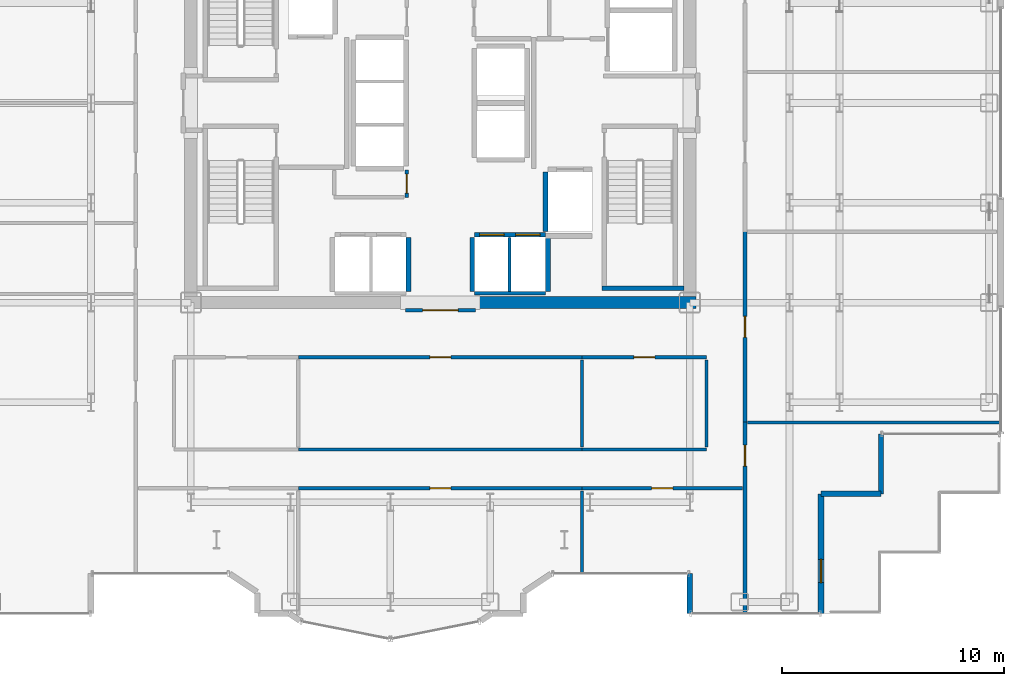
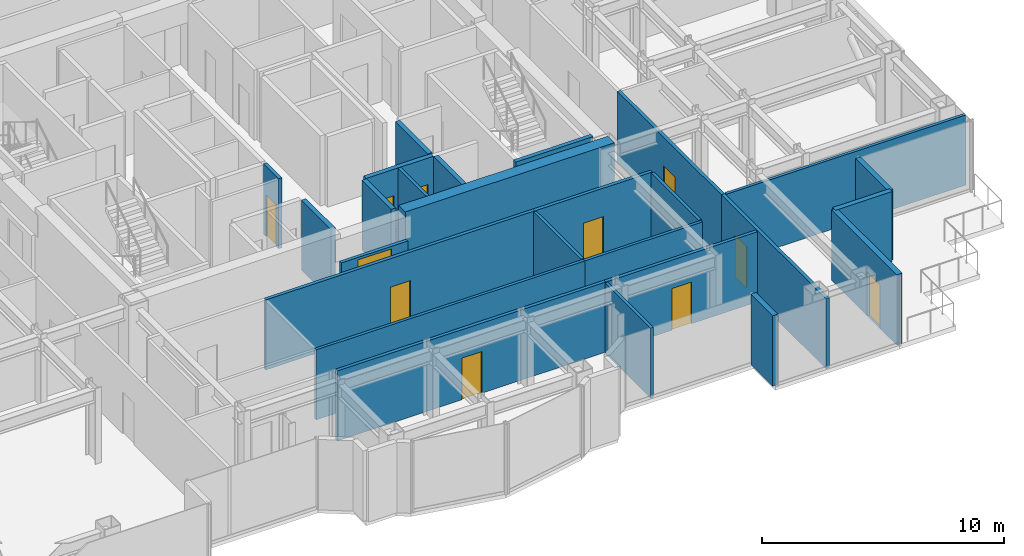
# One storey, part 22 of 27: 27 walls, 11 doors, 11 openings.
"""IFC4 building model written with IfcOpenShell, lengths in metres."""

from ifc_helpers import new_model, si_unit, direction, frame, frame_2d, origin, place, context, subcontext, project, spatial, rectangle, extrude, source, transform, mapped, material, layer, layer_set, type_object, element, fill, save


model = new_model("IFC4")

# Units and contexts
model_context = context("Model", 3, precision=1e-05, world=origin(), true_north=direction((0.0, 1.0)))
body_context = subcontext(model_context, "Body", "Model", "MODEL_VIEW")
ifc_project = project(units=[si_unit("LENGTHUNIT", "METRE"), si_unit("AREAUNIT", "SQUARE_METRE"), si_unit("VOLUMEUNIT", "CUBIC_METRE"), si_unit("PLANEANGLEUNIT", "RADIAN"), si_unit("MASSUNIT", "GRAM", prefix="KILO")], contexts=[model_context])

# Site, building, storey
site_placement = place(None, origin())
site = spatial("IfcSite", under=ifc_project, at=site_placement, CompositionType="ELEMENT")
building_placement = place(site_placement, origin())
building = spatial("IfcBuilding", under=site, at=building_placement, Name="Nefas-Gora Pilgrimage Tower", CompositionType="ELEMENT")
storey_placement = place(building_placement, frame((0.0, 0.0, 183.0)))
storey = spatial("IfcBuildingStorey", under=building, at=storey_placement, Name="L45", CompositionType="ELEMENT", Elevation=183.0)

# Walls
ifc_material_1 = material(Name="Concrete C60/75", Category="concrete")
ifc_layer_1 = layer(ifc_material_1, 0.550048828125)
ifc_layer_set_1 = layer_set([ifc_layer_1], Name="Concrete C60/75")
wall_type_1 = type_object("IfcWallType", Name="SW-CORE-550", PredefinedType="SHEAR", material=ifc_layer_set_1)
shared_shape_1 = source(origin(), body_context, "Body", "SweptSolid", [
    extrude(rectangle(XDim=9.974853515625, YDim=0.550048828125, at=frame_2d((4.9873046875, 0.0))), origin(), (0.0, 0.0, 1.0), 3.800048828125),
])
wall_1_placement = place(storey_placement, frame((1.550048828125, -9.0, 0.0), z_axis=(0.0, 0.0, 1.0), x_axis=(1.0, 0.0, 0.0)))
element("IfcWall", 1, at=wall_1_placement, inside=storey, type_object=wall_type_1, Name="L45 Core Shear Wall S-East", PredefinedType="SHEAR", context=body_context, shape_type="MappedRepresentation", body=[
    mapped(shared_shape_1, transform((0.0, 0.0, 0.0), x_axis=(1.0, 0.0, 0.0), y_axis=(0.0, 1.0, 0.0), z_axis=(0.0, 0.0, 1.0), scale=1.0)),
])
ifc_material_2 = material(Name="Precast concrete C40/50", Category="concrete")
ifc_layer_2 = layer(ifc_material_2, 0.260009765625)
ifc_layer_set_2 = layer_set([ifc_layer_2], Name="Precast concrete C40/50")
wall_type_2 = type_object("IfcWallType", Name="EW-PORTAL-260", PredefinedType="SOLIDWALL", material=ifc_layer_set_2)
shared_shape_2 = source(origin(), body_context, "Body", "SweptSolid", [
    extrude(rectangle(XDim=1.800048828125, YDim=0.260009765625, at=frame_2d((0.89990234375, 0.0))), origin(), (0.0, 0.0, 1.0), 3.550048828125),
])
wall_2_placement = place(storey_placement, frame((11.25, -21.219970703125, 0.0), z_axis=(0.0, 0.0, 1.0), x_axis=(0.0, -1.0, 0.0)))
element("IfcWall", 2, at=wall_2_placement, inside=storey, type_object=wall_type_2, Name="L45 Lobe Shoulder Precast Spandrel Pier 5", PredefinedType="SOLIDWALL", context=body_context, shape_type="MappedRepresentation", body=[
    mapped(shared_shape_2, transform((0.0, 0.0, 0.0), x_axis=(1.0, 0.0, 0.0), y_axis=(0.0, 1.0, 0.0), z_axis=(0.0, 0.0, 1.0), scale=1.0)),
])

# Wall, opening, door
shared_shape_3 = source(origin(), body_context, "Body", "SweptSolid", [
    extrude(rectangle(XDim=5.39990234375, YDim=0.260009765625, at=frame_2d((2.699951171875, 0.0))), origin(), (0.0, 0.0, 1.0), 3.550048828125),
])
wall_3_placement = place(storey_placement, frame((17.169921875, -23.02001953125, 0.0), z_axis=(0.0, 0.0, 1.0), x_axis=(0.0, 1.0, 0.0)))
wall_3 = element("IfcWall", 3, at=wall_3_placement, inside=storey, type_object=wall_type_2, Name="L45 Insulated Terrace Portal Wall 6", PredefinedType="SOLIDWALL", context=body_context, shape_type="MappedRepresentation", body=[
    mapped(shared_shape_3, transform((0.0, 0.0, 0.0), x_axis=(1.0, 0.0, 0.0), y_axis=(0.0, 1.0, 0.0), z_axis=(0.0, 0.0, 1.0), scale=1.0)),
])
opening_1_placement = place(wall_3_placement, frame((1.39697265625, 0.0, 0.0)))
opening_1 = element("IfcOpeningElement", 4, at=opening_1_placement, cuts=wall_3, Name="Opening ED-T1", PredefinedType="OPENING", context=body_context, shape_type="SweptSolid", body=[
    extrude(rectangle(XDim=1.050048828125, YDim=2.199951171875, at=frame_2d((0.52490234375, 1.10009765625))), frame((0.0, 0.139892578125, 0.0), z_axis=(0.0, -1.0, 0.0), x_axis=(1.0, 0.0, 0.0)), (0.0, 0.0, 1.0), 0.280029296875),
])
ifc_material_3 = material(Name="Thermally broken glazed aluminium terrace door", Category="aluminium")
door_type_1 = type_object("IfcDoorType", Name="DR-EXT-TER-1050", OperationType="NOTDEFINED", PredefinedType="DOOR", material=ifc_material_3)
shared_shape_4 = source(origin(), body_context, "Body", "SweptSolid", [
    extrude(rectangle(XDim=1.050048828125, YDim=2.199951171875, at=frame_2d((0.52490234375, 1.10009765625))), frame((0.0, 0.02490234375, 0.0), z_axis=(0.0, -1.0, 0.0), x_axis=(1.0, 0.0, 0.0)), (0.0, 0.0, 1.0), 0.050048828125),
])
door_1_placement = place(opening_1_placement, origin())
door_1 = element("IfcDoor", 5, at=door_1_placement, inside=storey, type_object=door_type_1, Name="L45 Exterior Door (L45 Outdoor Terrace TER-SP-SE)", OperationType="SINGLE_SWING_LEFT", OverallHeight=2.199951171875, OverallWidth=1.050048828125, PredefinedType="DOOR", context=body_context, shape_type="MappedRepresentation", body=[
    mapped(shared_shape_4, transform((0.0, 0.0, 0.0), x_axis=(1.0, 0.0, 0.0), y_axis=(0.0, 1.0, 0.0), z_axis=(0.0, 0.0, 1.0), scale=1.0)),
])
fill(opening_1, door_1)

# Walls
ifc_material_4 = material(Name="Precast concrete C45/55", Category="concrete")
ifc_layer_3 = layer(ifc_material_4, 0.239990234375)
ifc_layer_set_3 = layer_set([ifc_layer_3], Name="Precast concrete C45/55")
wall_type_3 = type_object("IfcWallType", Name="EW-SERR-240", PredefinedType="SHEAR", material=ifc_layer_set_3)
shared_shape_5 = source(origin(), body_context, "Body", "SweptSolid", [
    extrude(rectangle(XDim=2.7001953125, YDim=0.239990234375, at=frame_2d((1.35009765625, 0.0))), origin(), (0.0, 0.0, 1.0), 3.550048828125),
])
for number, where, z_axis, x_axis, name in (
    (6, (17.169921875, -17.6201171875, 0.0), (0.0, 0.0, 1.0), (1.0, 0.0, 0.0), "L45 Serrated Corner Shear Pier Wall 7"),
    (7, (19.8701171875, -17.6201171875, 0.0), (0.0, 0.0, 1.0), (0.0, 1.0, 0.0), "L45 Serrated Corner Shear Pier Wall 8"),
):
    element("IfcWall", number, at=place(storey_placement, frame(where, z_axis=z_axis, x_axis=x_axis)), inside=storey, type_object=wall_type_3, Name=name, PredefinedType="SHEAR", context=body_context, shape_type="MappedRepresentation", body=[
        mapped(shared_shape_5, transform((0.0, 0.0, 0.0), x_axis=(1.0, 0.0, 0.0), y_axis=(0.0, 1.0, 0.0), z_axis=(0.0, 0.0, 1.0), scale=1.0)),
    ])
ifc_material_5 = material(Name="Concrete C45/55", Category="concrete")
ifc_layer_4 = layer(ifc_material_5, 0.199951171875)
ifc_layer_set_4 = layer_set([ifc_layer_4], Name="Concrete C45/55")
wall_type_4 = type_object("IfcWallType", Name="IW-STAIR-200", PredefinedType="SOLIDWALL", material=ifc_layer_set_4)
shared_shape_6 = source(origin(), body_context, "Body", "SweptSolid", [
    extrude(rectangle(XDim=3.679931640625, YDim=0.199951171875, at=frame_2d((1.83984375, 0.0))), origin(), (0.0, 0.0, 1.0), 3.800048828125),
])
wall_4_placement = place(storey_placement, frame((7.300048828125, -8.35009765625, 0.0), z_axis=(0.0, 0.0, 1.0), x_axis=(1.0, 0.0, 0.0)))
element("IfcWall", 8, at=wall_4_placement, inside=storey, type_object=wall_type_4, Name="L45 Stairwell Shear Wall ST-02-far", PredefinedType="SOLIDWALL", context=body_context, shape_type="MappedRepresentation", body=[
    mapped(shared_shape_6, transform((0.0, 0.0, 0.0), x_axis=(1.0, 0.0, 0.0), y_axis=(0.0, 1.0, 0.0), z_axis=(0.0, 0.0, 1.0), scale=1.0)),
])
ifc_material_6 = material(Name="Concrete C40/50", Category="concrete")
ifc_layer_5 = layer(ifc_material_6, 0.219970703125)
ifc_layer_set_5 = layer_set([ifc_layer_5], Name="Concrete C40/50")
wall_type_5 = type_object("IfcWallType", Name="IW-SHAFT-220", PredefinedType="SOLIDWALL", material=ifc_layer_set_5)
shared_shape_7 = source(origin(), body_context, "Body", "SweptSolid", [
    extrude(rectangle(XDim=2.679931640625, YDim=0.219970703125, at=frame_2d((1.33984375, 0.0))), origin(), (0.0, 0.0, 1.0), 3.534912109375),
])
wall_5_placement = place(storey_placement, frame((4.739990234375, -3.110107421875, 0.0), z_axis=(0.0, 0.0, 1.0), x_axis=(0.0, -1.0, 0.0)))
element("IfcWall", 9, at=wall_5_placement, inside=storey, type_object=wall_type_5, Name="L45 Hoistway Wall FFL-02-W", PredefinedType="SOLIDWALL", context=body_context, shape_type="MappedRepresentation", body=[
    mapped(shared_shape_7, transform((0.0, 0.0, 0.0), x_axis=(1.0, 0.0, 0.0), y_axis=(0.0, 1.0, 0.0), z_axis=(0.0, 0.0, 1.0), scale=1.0)),
])

# Wall, openings, doors
shared_shape_8 = source(origin(), body_context, "Body", "SweptSolid", [
    extrude(rectangle(XDim=3.199951171875, YDim=0.219970703125, at=frame_2d((1.60009765625, 0.0))), origin(), (0.0, 0.0, 1.0), 3.534912109375),
])
wall_6_placement = place(storey_placement, frame((4.75, -5.93994140625, 0.0), z_axis=(0.0, 0.0, 1.0), x_axis=(-1.0, 0.0, 0.0)))
wall_6 = element("IfcWall", 10, at=wall_6_placement, inside=storey, type_object=wall_type_5, Name="L45 Hoistway Wall PL2-E-N", PredefinedType="SOLIDWALL", context=body_context, shape_type="MappedRepresentation", body=[
    mapped(shared_shape_8, transform((0.0, 0.0, 0.0), x_axis=(1.0, 0.0, 0.0), y_axis=(0.0, 1.0, 0.0), z_axis=(0.0, 0.0, 1.0), scale=1.0)),
])
opening_2_placement = place(wall_6_placement, frame((1.875, 0.0, 0.0)))
opening_2 = element("IfcOpeningElement", 11, at=opening_2_placement, cuts=wall_6, Name="Opening LD-01", PredefinedType="OPENING", context=body_context, shape_type="SweptSolid", body=[
    extrude(rectangle(XDim=1.10009765625, YDim=2.199951171875, at=frame_2d((0.550048828125, 1.10009765625))), frame((0.0, 0.119873046875, 0.0), z_axis=(0.0, -1.0, 0.0), x_axis=(1.0, 0.0, 0.0)), (0.0, 0.0, 1.0), 0.239990234375),
])
opening_3_placement = place(wall_6_placement, frame((0.25, 0.0, 0.0)))
opening_3 = element("IfcOpeningElement", 12, at=opening_3_placement, cuts=wall_6, Name="Opening LD-01", PredefinedType="OPENING", context=body_context, shape_type="SweptSolid", body=[
    extrude(rectangle(XDim=1.10009765625, YDim=2.199951171875, at=frame_2d((0.550048828125, 1.10009765625))), frame((0.0, 0.119873046875, 0.0), z_axis=(0.0, -1.0, 0.0), x_axis=(1.0, 0.0, 0.0)), (0.0, 0.0, 1.0), 0.239990234375),
])
ifc_material_7 = material(Name="Brushed stainless sliding lift landing door")
door_type_2 = type_object("IfcDoorType", Name="DR-LIFT-PASS-1100", OperationType="DOUBLE_DOOR_SLIDING", PredefinedType="DOOR", material=ifc_material_7)
shared_shape_9 = source(origin(), body_context, "Body", "SweptSolid", [
    extrude(rectangle(XDim=1.10009765625, YDim=2.199951171875, at=frame_2d((0.550048828125, 1.10009765625))), frame((0.0, 0.02490234375, 0.0), z_axis=(0.0, -1.0, 0.0), x_axis=(1.0, 0.0, 0.0)), (0.0, 0.0, 1.0), 0.050048828125),
])
door_2_placement = place(opening_2_placement, origin())
door_2 = element("IfcDoor", 13, at=door_2_placement, inside=storey, type_object=door_type_2, Name="L45 Sliding Lift Landing Door PL2-03", OperationType="DOUBLE_DOOR_SLIDING", OverallHeight=2.199951171875, OverallWidth=1.10009765625, PredefinedType="DOOR", context=body_context, shape_type="MappedRepresentation", body=[
    mapped(shared_shape_9, transform((0.0, 0.0, 0.0), x_axis=(1.0, 0.0, 0.0), y_axis=(0.0, 1.0, 0.0), z_axis=(0.0, 0.0, 1.0), scale=1.0)),
])
fill(opening_2, door_2)
door_3_placement = place(opening_3_placement, origin())
door_3 = element("IfcDoor", 14, at=door_3_placement, inside=storey, type_object=door_type_2, Name="L45 Sliding Lift Landing Door PL2-04", OperationType="DOUBLE_DOOR_SLIDING", OverallHeight=2.199951171875, OverallWidth=1.10009765625, PredefinedType="DOOR", context=body_context, shape_type="MappedRepresentation", body=[
    mapped(shared_shape_9, transform((0.0, 0.0, 0.0), x_axis=(1.0, 0.0, 0.0), y_axis=(0.0, 1.0, 0.0), z_axis=(0.0, 0.0, 1.0), scale=1.0)),
])
fill(opening_3, door_3)

# Walls
ifc_material_8 = material(Name="Gypsum acoustic stud partition")
ifc_layer_6 = layer(ifc_material_8, 0.159912109375)
ifc_layer_set_6 = layer_set([ifc_layer_6], Name="Gypsum acoustic stud partition")
wall_type_6 = type_object("IfcWallType", Name="IW-CORR-160", PredefinedType="PARTITIONING", material=ifc_layer_set_6)
shared_shape_10 = source(origin(), body_context, "Body", "SweptSolid", [
    extrude(rectangle(XDim=3.199951171875, YDim=0.159912109375, at=frame_2d((1.60009765625, 0.0))), origin(), (0.0, 0.0, 1.0), 2.425048828125),
])
wall_7_placement = place(storey_placement, frame((1.550048828125, -8.580078125, 0.0), z_axis=(0.0, 0.0, 1.0), x_axis=(1.0, 0.0, 0.0)))
element("IfcWall", 15, at=wall_7_placement, inside=storey, type_object=wall_type_6, Name="L45 Hoistway Wall PL2-E-S", PredefinedType="PARTITIONING", context=body_context, shape_type="MappedRepresentation", body=[
    mapped(shared_shape_10, transform((0.0, 0.0, 0.0), x_axis=(1.0, 0.0, 0.0), y_axis=(0.0, 1.0, 0.0), z_axis=(0.0, 0.0, 1.0), scale=1.0)),
])
shared_shape_11 = source(origin(), body_context, "Body", "SweptSolid", [
    extrude(rectangle(XDim=2.429931640625, YDim=0.219970703125, at=frame_2d((1.21484375, 0.0))), origin(), (0.0, 0.0, 1.0), 3.534912109375),
])
for number, where, z_axis, x_axis, name in (
    (16, (-1.43994140625, -8.489990234375, 0.0), (0.0, 0.0, 1.0), (0.0, 1.0, 0.0), "L45 Hoistway Wall PL2-W-E"),
    (17, (1.43994140625, -6.06005859375, 0.0), (0.0, 0.0, 1.0), (0.0, -1.0, 0.0), "L45 Hoistway Wall PL2-E-W"),
    (18, (4.860107421875, -8.489990234375, 0.0), (0.0, 0.0, 1.0), (0.0, 1.0, 0.0), "L45 Hoistway Wall PL2-E-E"),
):
    element("IfcWall", number, at=place(storey_placement, frame(where, z_axis=z_axis, x_axis=x_axis)), inside=storey, type_object=wall_type_5, Name=name, PredefinedType="SOLIDWALL", context=body_context, shape_type="MappedRepresentation", body=[
        mapped(shared_shape_11, transform((0.0, 0.0, 0.0), x_axis=(1.0, 0.0, 0.0), y_axis=(0.0, 1.0, 0.0), z_axis=(0.0, 0.0, 1.0), scale=1.0)),
    ])
ifc_material_9 = material(Name="Gypsum twin-stud partition")
ifc_layer_7 = layer(ifc_material_9, 0.139892578125)
ifc_layer_set_7 = layer_set([ifc_layer_7], Name="Gypsum twin-stud partition")
wall_type_7 = type_object("IfcWallType", Name="IW-UNIT-140", PredefinedType="PARTITIONING", material=ifc_layer_set_7)
shared_shape_12 = source(origin(), body_context, "Body", "SweptSolid", [
    extrude(rectangle(XDim=2.429931640625, YDim=0.139892578125, at=frame_2d((1.21484375, 0.0))), origin(), (0.0, 0.0, 1.0), 3.534912109375),
])
wall_8_placement = place(storey_placement, frame((3.125, -8.489990234375, 0.0), z_axis=(0.0, 0.0, 1.0), x_axis=(0.0, 1.0, 0.0)))
element("IfcWall", 19, at=wall_8_placement, inside=storey, type_object=wall_type_7, Name="L45 Hoistway Wall PL2-E-DIV", PredefinedType="PARTITIONING", context=body_context, shape_type="MappedRepresentation", body=[
    mapped(shared_shape_12, transform((0.0, 0.0, 0.0), x_axis=(1.0, 0.0, 0.0), y_axis=(0.0, 1.0, 0.0), z_axis=(0.0, 0.0, 1.0), scale=1.0)),
])

# Wall, opening, door
shared_shape_13 = source(origin(), body_context, "Body", "SweptSolid", [
    extrude(rectangle(XDim=1.25, YDim=0.159912109375, at=frame_2d((0.625, 0.0))), origin(), (0.0, 0.0, 1.0), 3.534912109375),
])
wall_9_placement = place(storey_placement, frame((-1.52001953125, -4.260009765625, 0.0), z_axis=(0.0, 0.0, 1.0), x_axis=(0.0, 1.0, 0.0)))
wall_9 = element("IfcWall", 20, at=wall_9_placement, inside=storey, type_object=wall_type_6, Name="L45 Guest Self-Service Laundry Room Wall 26", PredefinedType="PARTITIONING", context=body_context, shape_type="MappedRepresentation", body=[
    mapped(shared_shape_13, transform((0.0, 0.0, 0.0), x_axis=(1.0, 0.0, 0.0), y_axis=(0.0, 1.0, 0.0), z_axis=(0.0, 0.0, 1.0), scale=1.0)),
])
opening_4_placement = place(wall_9_placement, frame((0.199951171875, 0.0, 0.0)))
opening_4 = element("IfcOpeningElement", 21, at=opening_4_placement, cuts=wall_9, Name="Opening ID-BT1", PredefinedType="OPENING", context=body_context, shape_type="SweptSolid", body=[
    extrude(rectangle(XDim=0.85009765625, YDim=2.10009765625, at=frame_2d((0.425048828125, 1.050048828125))), frame((0.0, 0.08984375, 0.0), z_axis=(0.0, -1.0, 0.0), x_axis=(1.0, 0.0, 0.0)), (0.0, 0.0, 1.0), 0.179931640625),
])
ifc_material_10 = material(Name="Moisture-resistant fire-rated timber door", Category="wood")
door_type_3 = type_object("IfcDoorType", Name="DR-INT-BATH-850", OperationType="NOTDEFINED", PredefinedType="DOOR", material=ifc_material_10)
shared_shape_14 = source(origin(), body_context, "Body", "SweptSolid", [
    extrude(rectangle(XDim=0.85009765625, YDim=2.10009765625, at=frame_2d((0.425048828125, 1.050048828125))), frame((0.0, 0.02490234375, 0.0), z_axis=(0.0, -1.0, 0.0), x_axis=(1.0, 0.0, 0.0)), (0.0, 0.0, 1.0), 0.050048828125),
])
door_4_placement = place(opening_4_placement, origin())
door_4 = element("IfcDoor", 22, at=door_4_placement, inside=storey, type_object=door_type_3, Name="L45 Guest Self-Service Laundry Room Door 11", OperationType="SINGLE_SWING_RIGHT", OverallHeight=2.10009765625, OverallWidth=0.85009765625, PredefinedType="DOOR", context=body_context, shape_type="MappedRepresentation", body=[
    mapped(shared_shape_14, transform((0.0, 0.0, 0.0), x_axis=(1.0, 0.0, 0.0), y_axis=(0.0, 1.0, 0.0), z_axis=(0.0, 0.0, 1.0), scale=1.0)),
])
fill(opening_4, door_4)

shared_shape_15 = source(origin(), body_context, "Body", "SweptSolid", [
    extrude(rectangle(XDim=7.22509765625, YDim=0.159912109375, at=frame_2d((3.612548828125, 0.0))), origin(), (0.0, 0.0, 1.0), 3.534912109375),
])
wall_10_placement = place(storey_placement, frame((6.39501953125, -17.3701171875, 0.0), z_axis=(0.0, 0.0, 1.0), x_axis=(1.0, 0.0, 0.0)))
wall_10 = element("IfcWall", 23, at=wall_10_placement, inside=storey, type_object=wall_type_6, Name="L45 Pilgrim Contemplative Lounge Partition Wall 79", PredefinedType="PARTITIONING", context=body_context, shape_type="MappedRepresentation", body=[
    mapped(shared_shape_15, transform((0.0, 0.0, 0.0), x_axis=(1.0, 0.0, 0.0), y_axis=(0.0, 1.0, 0.0), z_axis=(0.0, 0.0, 1.0), scale=1.0)),
])
opening_5_placement = place(wall_10_placement, frame((3.137451171875, 0.0, 0.0)))
opening_5 = element("IfcOpeningElement", 24, at=opening_5_placement, cuts=wall_10, Name="Opening ID-GR1", PredefinedType="OPENING", context=body_context, shape_type="SweptSolid", body=[
    extrude(rectangle(XDim=0.949951171875, YDim=2.10009765625, at=frame_2d((0.47509765625, 1.050048828125))), frame((0.0, 0.08984375, 0.0), z_axis=(0.0, -1.0, 0.0), x_axis=(1.0, 0.0, 0.0)), (0.0, 0.0, 1.0), 0.179931640625),
])
ifc_material_11 = material(Name="Solid core oak fire-rated guest entrance door")
door_type_4 = type_object("IfcDoorType", Name="DR-INT-GUEST-950", OperationType="NOTDEFINED", PredefinedType="DOOR", material=ifc_material_11)
shared_shape_16 = source(origin(), body_context, "Body", "SweptSolid", [
    extrude(rectangle(XDim=0.949951171875, YDim=2.10009765625, at=frame_2d((0.47509765625, 1.050048828125))), frame((0.0, 0.02490234375, 0.0), z_axis=(0.0, -1.0, 0.0), x_axis=(1.0, 0.0, 0.0)), (0.0, 0.0, 1.0), 0.050048828125),
])
door_5_placement = place(opening_5_placement, origin())
door_5 = element("IfcDoor", 25, at=door_5_placement, inside=storey, type_object=door_type_4, Name="L45 Pilgrim Contemplative Lounge Door 35", OperationType="SINGLE_SWING_RIGHT", OverallHeight=2.10009765625, OverallWidth=0.949951171875, PredefinedType="DOOR", context=body_context, shape_type="MappedRepresentation", body=[
    mapped(shared_shape_16, transform((0.0, 0.0, 0.0), x_axis=(1.0, 0.0, 0.0), y_axis=(0.0, 1.0, 0.0), z_axis=(0.0, 0.0, 1.0), scale=1.0)),
])
fill(opening_5, door_5)

shared_shape_17 = source(origin(), body_context, "Body", "SweptSolid", [
    extrude(rectangle(XDim=3.16015625, YDim=0.159912109375, at=frame_2d((1.580078125, 0.0))), origin(), (0.0, 0.0, 1.0), 2.425048828125),
])
wall_11_placement = place(storey_placement, frame((-1.580078125, -9.35009765625, 0.0), z_axis=(0.0, 0.0, 1.0), x_axis=(1.0, 0.0, 0.0)))
wall_11 = element("IfcWall", 26, at=wall_11_placement, inside=storey, type_object=wall_type_6, Name="L45 Central Lift Lobby South Portal Wall 16", PredefinedType="PARTITIONING", context=body_context, shape_type="MappedRepresentation", body=[
    mapped(shared_shape_17, transform((0.0, 0.0, 0.0), x_axis=(1.0, 0.0, 0.0), y_axis=(0.0, 1.0, 0.0), z_axis=(0.0, 0.0, 1.0), scale=1.0)),
])
opening_6_placement = place(wall_11_placement, frame((0.780029296875, 0.0, 0.0)))
opening_6 = element("IfcOpeningElement", 27, at=opening_6_placement, cuts=wall_11, Name="Opening ID-HL1", PredefinedType="OPENING", context=body_context, shape_type="SweptSolid", body=[
    extrude(rectangle(XDim=1.60009765625, YDim=2.300048828125, at=frame_2d((0.800048828125, 1.14990234375))), frame((0.0, 0.08984375, 0.0), z_axis=(0.0, -1.0, 0.0), x_axis=(1.0, 0.0, 0.0)), (0.0, 0.0, 1.0), 0.179931640625),
])
ifc_material_12 = material(Name="Double acoustic timber assembly hall door", Category="wood")
door_type_5 = type_object("IfcDoorType", Name="DR-INT-HALL-1600", OperationType="DOUBLE_DOOR_SINGLE_SWING", PredefinedType="DOOR", material=ifc_material_12)
shared_shape_18 = source(origin(), body_context, "Body", "SweptSolid", [
    extrude(rectangle(XDim=1.60009765625, YDim=2.300048828125, at=frame_2d((0.800048828125, 1.14990234375))), frame((0.0, 0.02490234375, 0.0), z_axis=(0.0, -1.0, 0.0), x_axis=(1.0, 0.0, 0.0)), (0.0, 0.0, 1.0), 0.050048828125),
])
door_6_placement = place(opening_6_placement, origin())
door_6 = element("IfcDoor", 28, at=door_6_placement, inside=storey, type_object=door_type_5, Name="L45 Central Lift Lobby South Portal Door 6", OperationType="DOUBLE_DOOR_SINGLE_SWING", OverallHeight=2.300048828125, OverallWidth=1.60009765625, PredefinedType="DOOR", context=body_context, shape_type="MappedRepresentation", body=[
    mapped(shared_shape_18, transform((0.0, 0.0, 0.0), x_axis=(1.0, 0.0, 0.0), y_axis=(0.0, 1.0, 0.0), z_axis=(0.0, 0.0, 1.0), scale=1.0)),
])
fill(opening_6, door_6)

# Walls
shared_shape_19 = source(origin(), body_context, "Body", "SweptSolid", [
    extrude(rectangle(XDim=11.429931640625, YDim=0.139892578125, at=frame_2d((5.71484375, 0.0))), origin(), (0.0, 0.0, 1.0), 3.534912109375),
])
wall_12_placement = place(storey_placement, frame((13.860107421875, -14.3974609375, 0.0), z_axis=(0.0, 0.0, 1.0), x_axis=(1.0, 0.0, 0.0)))
element("IfcWall", 29, at=wall_12_placement, inside=storey, type_object=wall_type_7, Name="L45 Pilgrim Contemplative Lounge Partition Wall 44", PredefinedType="PARTITIONING", context=body_context, shape_type="MappedRepresentation", body=[
    mapped(shared_shape_19, transform((0.0, 0.0, 0.0), x_axis=(1.0, 0.0, 0.0), y_axis=(0.0, 1.0, 0.0), z_axis=(0.0, 0.0, 1.0), scale=1.0)),
])
shared_shape_20 = source(origin(), body_context, "Body", "SweptSolid", [
    extrude(rectangle(XDim=3.929931640625, YDim=0.139892578125, at=frame_2d((1.96484375, 0.0))), origin(), (0.0, 0.0, 1.0), 3.534912109375),
])
for number, where, z_axis, x_axis, name in (
    (30, (6.39501953125, -15.52001953125, 0.0), (0.0, 0.0, 1.0), (0.0, 1.0, 0.0), "L45 Pilgrim Contemplative Lounge Partition Wall 78"),
    (31, (12.0, -15.52001953125, 0.0), (0.0, 0.0, 1.0), (0.0, 1.0, 0.0), "L45 Pilgrim Contemplative Lounge Partition Wall 82"),
):
    element("IfcWall", number, at=place(storey_placement, frame(where, z_axis=z_axis, x_axis=x_axis)), inside=storey, type_object=wall_type_7, Name=name, PredefinedType="PARTITIONING", context=body_context, shape_type="MappedRepresentation", body=[
        mapped(shared_shape_20, transform((0.0, 0.0, 0.0), x_axis=(1.0, 0.0, 0.0), y_axis=(0.0, 1.0, 0.0), z_axis=(0.0, 0.0, 1.0), scale=1.0)),
    ])
shared_shape_21 = source(origin(), body_context, "Body", "SweptSolid", [
    extrude(rectangle(XDim=3.75, YDim=0.139892578125, at=frame_2d((1.875, 0.0))), origin(), (0.0, 0.0, 1.0), 3.534912109375),
])
wall_13_placement = place(storey_placement, frame((6.39501953125, -21.239990234375, 0.0), z_axis=(0.0, 0.0, 1.0), x_axis=(0.0, 1.0, 0.0)))
element("IfcWall", 32, at=wall_13_placement, inside=storey, type_object=wall_type_7, Name="L45 Pilgrim Contemplative Lounge Partition Wall 75", PredefinedType="PARTITIONING", context=body_context, shape_type="MappedRepresentation", body=[
    mapped(shared_shape_21, transform((0.0, 0.0, 0.0), x_axis=(1.0, 0.0, 0.0), y_axis=(0.0, 1.0, 0.0), z_axis=(0.0, 0.0, 1.0), scale=1.0)),
])

# Wall, opening, door
shared_shape_22 = source(origin(), body_context, "Body", "SweptSolid", [
    extrude(rectangle(XDim=8.652587890625, YDim=0.159912109375, at=frame_2d((4.326171875, 0.0))), origin(), (0.0, 0.0, 1.0), 3.534912109375),
])
wall_14_placement = place(storey_placement, frame((13.739990234375, -23.0400390625, 0.0), z_axis=(0.0, 0.0, 1.0), x_axis=(0.0, 1.0, 0.0)))
wall_14 = element("IfcWall", 33, at=wall_14_placement, inside=storey, type_object=wall_type_6, Name="L45 Pilgrim Contemplative Lounge Partition Wall 43", PredefinedType="PARTITIONING", context=body_context, shape_type="MappedRepresentation", body=[
    mapped(shared_shape_22, transform((0.0, 0.0, 0.0), x_axis=(1.0, 0.0, 0.0), y_axis=(0.0, 1.0, 0.0), z_axis=(0.0, 0.0, 1.0), scale=1.0)),
])
opening_7_placement = place(wall_14_placement, frame((6.666259765625, 0.0, 0.0)))
opening_7 = element("IfcOpeningElement", 34, at=opening_7_placement, cuts=wall_14, Name="Opening ID-GR1", PredefinedType="OPENING", context=body_context, shape_type="SweptSolid", body=[
    extrude(rectangle(XDim=0.949951171875, YDim=2.10009765625, at=frame_2d((0.47509765625, 1.050048828125))), frame((0.0, 0.08984375, 0.0), z_axis=(0.0, -1.0, 0.0), x_axis=(1.0, 0.0, 0.0)), (0.0, 0.0, 1.0), 0.179931640625),
])
door_7_placement = place(opening_7_placement, origin())
door_7 = element("IfcDoor", 35, at=door_7_placement, inside=storey, type_object=door_type_4, Name="L45 Pilgrim Contemplative Lounge Door 19", OperationType="SINGLE_SWING_RIGHT", OverallHeight=2.10009765625, OverallWidth=0.949951171875, PredefinedType="DOOR", context=body_context, shape_type="MappedRepresentation", body=[
    mapped(shared_shape_16, transform((0.0, 0.0, 0.0), x_axis=(1.0, 0.0, 0.0), y_axis=(0.0, 1.0, 0.0), z_axis=(0.0, 0.0, 1.0), scale=1.0)),
])
fill(opening_7, door_7)

shared_shape_23 = source(origin(), body_context, "Body", "SweptSolid", [
    extrude(rectangle(XDim=8.592529296875, YDim=0.159912109375, at=frame_2d((4.29638671875, 0.0))), origin(), (0.0, 0.0, 1.0), 3.534912109375),
])
wall_15_placement = place(storey_placement, frame((13.739990234375, -14.387451171875, 0.0), z_axis=(0.0, 0.0, 1.0), x_axis=(0.0, 1.0, 0.0)))
wall_15 = element("IfcWall", 36, at=wall_15_placement, inside=storey, type_object=wall_type_6, Name="L45 Pilgrim Contemplative Lounge Partition Wall 45", PredefinedType="PARTITIONING", context=body_context, shape_type="MappedRepresentation", body=[
    mapped(shared_shape_23, transform((0.0, 0.0, 0.0), x_axis=(1.0, 0.0, 0.0), y_axis=(0.0, 1.0, 0.0), z_axis=(0.0, 0.0, 1.0), scale=1.0)),
])
opening_8_placement = place(wall_15_placement, frame((3.8212890625, 0.0, 0.0)))
opening_8 = element("IfcOpeningElement", 37, at=opening_8_placement, cuts=wall_15, Name="Opening ID-GR1", PredefinedType="OPENING", context=body_context, shape_type="SweptSolid", body=[
    extrude(rectangle(XDim=0.949951171875, YDim=2.10009765625, at=frame_2d((0.47509765625, 1.050048828125))), frame((0.0, 0.08984375, 0.0), z_axis=(0.0, -1.0, 0.0), x_axis=(1.0, 0.0, 0.0)), (0.0, 0.0, 1.0), 0.179931640625),
])
door_8_placement = place(opening_8_placement, origin())
door_8 = element("IfcDoor", 38, at=door_8_placement, inside=storey, type_object=door_type_4, Name="L45 Pilgrim Contemplative Lounge Door 20", OperationType="SINGLE_SWING_LEFT", OverallHeight=2.10009765625, OverallWidth=0.949951171875, PredefinedType="DOOR", context=body_context, shape_type="MappedRepresentation", body=[
    mapped(shared_shape_16, transform((0.0, 0.0, 0.0), x_axis=(1.0, 0.0, 0.0), y_axis=(0.0, 1.0, 0.0), z_axis=(0.0, 0.0, 1.0), scale=1.0)),
])
fill(opening_8, door_8)

shared_shape_24 = source(origin(), body_context, "Body", "SweptSolid", [
    extrude(rectangle(XDim=5.614990234375, YDim=0.159912109375, at=frame_2d((2.8076171875, 0.0))), origin(), (0.0, 0.0, 1.0), 3.534912109375),
])
wall_16_placement = place(storey_placement, frame((6.39501953125, -11.469970703125, 0.0), z_axis=(0.0, 0.0, 1.0), x_axis=(1.0, 0.0, 0.0)))
wall_16 = element("IfcWall", 39, at=wall_16_placement, inside=storey, type_object=wall_type_6, Name="L45 Pilgrim Contemplative Lounge Partition Wall 80", PredefinedType="PARTITIONING", context=body_context, shape_type="MappedRepresentation", body=[
    mapped(shared_shape_24, transform((0.0, 0.0, 0.0), x_axis=(1.0, 0.0, 0.0), y_axis=(0.0, 1.0, 0.0), z_axis=(0.0, 0.0, 1.0), scale=1.0)),
])
opening_9_placement = place(wall_16_placement, frame((2.33251953125, 0.0, 0.0)))
opening_9 = element("IfcOpeningElement", 40, at=opening_9_placement, cuts=wall_16, Name="Opening ID-GR1", PredefinedType="OPENING", context=body_context, shape_type="SweptSolid", body=[
    extrude(rectangle(XDim=0.949951171875, YDim=2.10009765625, at=frame_2d((0.47509765625, 1.050048828125))), frame((0.0, 0.08984375, 0.0), z_axis=(0.0, -1.0, 0.0), x_axis=(1.0, 0.0, 0.0)), (0.0, 0.0, 1.0), 0.179931640625),
])
door_9_placement = place(opening_9_placement, origin())
door_9 = element("IfcDoor", 41, at=door_9_placement, inside=storey, type_object=door_type_4, Name="L45 Pilgrim Contemplative Lounge Door 36", OperationType="SINGLE_SWING_LEFT", OverallHeight=2.10009765625, OverallWidth=0.949951171875, PredefinedType="DOOR", context=body_context, shape_type="MappedRepresentation", body=[
    mapped(shared_shape_16, transform((0.0, 0.0, 0.0), x_axis=(1.0, 0.0, 0.0), y_axis=(0.0, 1.0, 0.0), z_axis=(0.0, 0.0, 1.0), scale=1.0)),
])
fill(opening_9, door_9)

# Wall
shared_shape_25 = source(origin(), body_context, "Body", "SweptSolid", [
    extrude(rectangle(XDim=5.614990234375, YDim=0.139892578125, at=frame_2d((2.8076171875, 0.0))), origin(), (0.0, 0.0, 1.0), 3.534912109375),
])
wall_17_placement = place(storey_placement, frame((6.39501953125, -15.6298828125, 0.0), z_axis=(0.0, 0.0, 1.0), x_axis=(1.0, 0.0, 0.0)))
element("IfcWall", 42, at=wall_17_placement, inside=storey, type_object=wall_type_7, Name="L45 Pilgrim Contemplative Lounge Partition Wall 81", PredefinedType="PARTITIONING", context=body_context, shape_type="MappedRepresentation", body=[
    mapped(shared_shape_25, transform((0.0, 0.0, 0.0), x_axis=(1.0, 0.0, 0.0), y_axis=(0.0, 1.0, 0.0), z_axis=(0.0, 0.0, 1.0), scale=1.0)),
])

# Wall, opening, door
shared_shape_26 = source(origin(), body_context, "Body", "SweptSolid", [
    extrude(rectangle(XDim=12.81005859375, YDim=0.159912109375, at=frame_2d((6.405029296875, 0.0))), origin(), (0.0, 0.0, 1.0), 3.534912109375),
])
wall_18_placement = place(storey_placement, frame((-6.405029296875, -17.3701171875, 0.0), z_axis=(0.0, 0.0, 1.0), x_axis=(1.0, 0.0, 0.0)))
wall_18 = element("IfcWall", 43, at=wall_18_placement, inside=storey, type_object=wall_type_6, Name="L45 Pilgrim Contemplative Lounge Partition Wall 74", PredefinedType="PARTITIONING", context=body_context, shape_type="MappedRepresentation", body=[
    mapped(shared_shape_26, transform((0.0, 0.0, 0.0), x_axis=(1.0, 0.0, 0.0), y_axis=(0.0, 1.0, 0.0), z_axis=(0.0, 0.0, 1.0), scale=1.0)),
])
opening_10_placement = place(wall_18_placement, frame((5.929931640625, 0.0, 0.0)))
opening_10 = element("IfcOpeningElement", 44, at=opening_10_placement, cuts=wall_18, Name="Opening ID-GR1", PredefinedType="OPENING", context=body_context, shape_type="SweptSolid", body=[
    extrude(rectangle(XDim=0.949951171875, YDim=2.10009765625, at=frame_2d((0.47509765625, 1.050048828125))), frame((0.0, 0.08984375, 0.0), z_axis=(0.0, -1.0, 0.0), x_axis=(1.0, 0.0, 0.0)), (0.0, 0.0, 1.0), 0.179931640625),
])
door_10_placement = place(opening_10_placement, origin())
door_10 = element("IfcDoor", 45, at=door_10_placement, inside=storey, type_object=door_type_4, Name="L45 Pilgrim Contemplative Lounge Door 33", OperationType="SINGLE_SWING_RIGHT", OverallHeight=2.10009765625, OverallWidth=0.949951171875, PredefinedType="DOOR", context=body_context, shape_type="MappedRepresentation", body=[
    mapped(shared_shape_16, transform((0.0, 0.0, 0.0), x_axis=(1.0, 0.0, 0.0), y_axis=(0.0, 1.0, 0.0), z_axis=(0.0, 0.0, 1.0), scale=1.0)),
])
fill(opening_10, door_10)

wall_19_placement = place(storey_placement, frame((-6.405029296875, -11.469970703125, 0.0), z_axis=(0.0, 0.0, 1.0), x_axis=(1.0, 0.0, 0.0)))
wall_19 = element("IfcWall", 46, at=wall_19_placement, inside=storey, type_object=wall_type_6, Name="L45 Pilgrim Contemplative Lounge Partition Wall 76", PredefinedType="PARTITIONING", context=body_context, shape_type="MappedRepresentation", body=[
    mapped(shared_shape_26, transform((0.0, 0.0, 0.0), x_axis=(1.0, 0.0, 0.0), y_axis=(0.0, 1.0, 0.0), z_axis=(0.0, 0.0, 1.0), scale=1.0)),
])
opening_11_placement = place(wall_19_placement, frame((5.929931640625, 0.0, 0.0)))
opening_11 = element("IfcOpeningElement", 47, at=opening_11_placement, cuts=wall_19, Name="Opening ID-GR1", PredefinedType="OPENING", context=body_context, shape_type="SweptSolid", body=[
    extrude(rectangle(XDim=0.949951171875, YDim=2.10009765625, at=frame_2d((0.47509765625, 1.050048828125))), frame((0.0, 0.08984375, 0.0), z_axis=(0.0, -1.0, 0.0), x_axis=(1.0, 0.0, 0.0)), (0.0, 0.0, 1.0), 0.179931640625),
])
door_11_placement = place(opening_11_placement, origin())
door_11 = element("IfcDoor", 48, at=door_11_placement, inside=storey, type_object=door_type_4, Name="L45 Pilgrim Contemplative Lounge Door 34", OperationType="SINGLE_SWING_LEFT", OverallHeight=2.10009765625, OverallWidth=0.949951171875, PredefinedType="DOOR", context=body_context, shape_type="MappedRepresentation", body=[
    mapped(shared_shape_16, transform((0.0, 0.0, 0.0), x_axis=(1.0, 0.0, 0.0), y_axis=(0.0, 1.0, 0.0), z_axis=(0.0, 0.0, 1.0), scale=1.0)),
])
fill(opening_11, door_11)

# Wall
shared_shape_27 = source(origin(), body_context, "Body", "SweptSolid", [
    extrude(rectangle(XDim=12.81005859375, YDim=0.139892578125, at=frame_2d((6.405029296875, 0.0))), origin(), (0.0, 0.0, 1.0), 3.534912109375),
])
wall_20_placement = place(storey_placement, frame((-6.405029296875, -15.6298828125, 0.0), z_axis=(0.0, 0.0, 1.0), x_axis=(1.0, 0.0, 0.0)))
element("IfcWall", 49, at=wall_20_placement, inside=storey, type_object=wall_type_7, Name="L45 Pilgrim Contemplative Lounge Partition Wall 77", PredefinedType="PARTITIONING", context=body_context, shape_type="MappedRepresentation", body=[
    mapped(shared_shape_27, transform((0.0, 0.0, 0.0), x_axis=(1.0, 0.0, 0.0), y_axis=(0.0, 1.0, 0.0), z_axis=(0.0, 0.0, 1.0), scale=1.0)),
])

save(model, "model.ifc")
